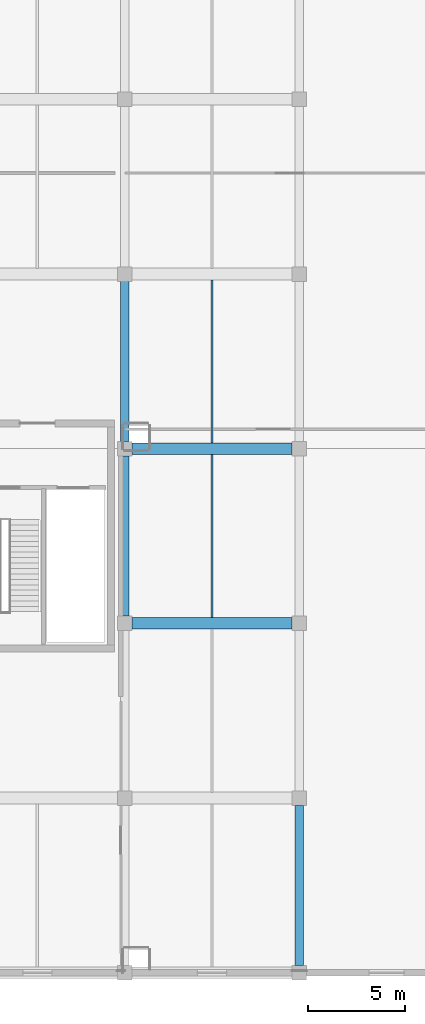
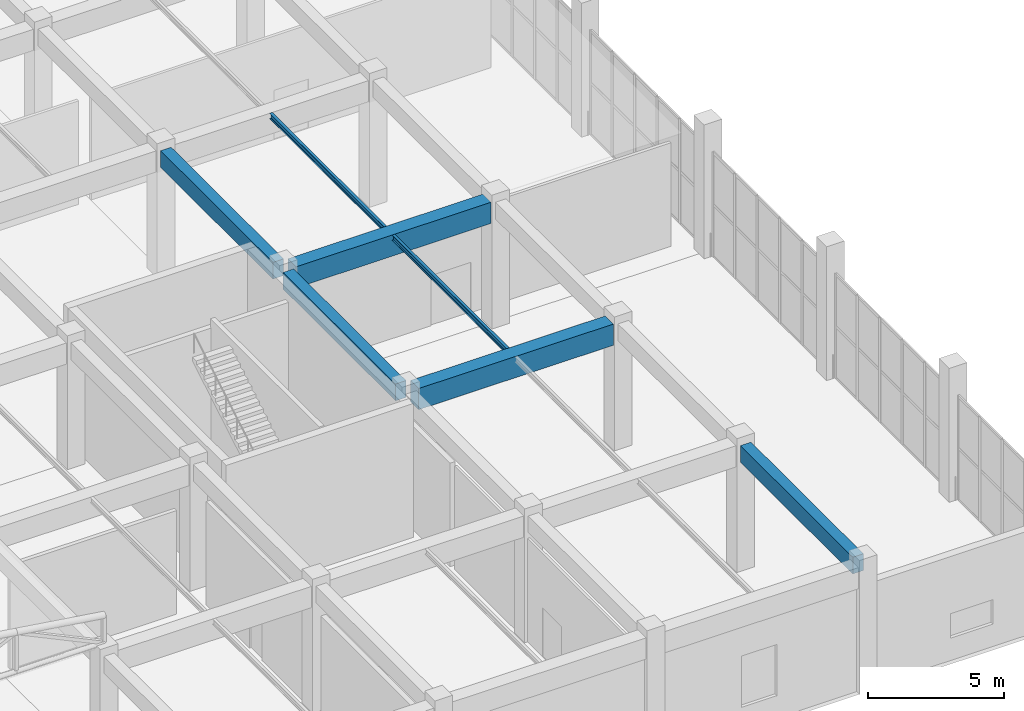
# One storey, part 67 of 223: 7 beams.
"""IFC4 building model written with IfcOpenShell, lengths in metres."""

from ifc_helpers import new_model, si_unit, direction, frame, origin, origin_2d, place, context, subcontext, project, spatial, rectangle, i_section, extrude, material, material_profile, profile_set, type_object, element, save


model = new_model("IFC4")

# Units and contexts
model_context = context("Model", 3, precision=1e-05, world=origin(), true_north=direction((0.0, 1.0)))
body_context = subcontext(model_context, "Body", "Model", "MODEL_VIEW")
ifc_project = project(units=[si_unit("LENGTHUNIT", "METRE"), si_unit("AREAUNIT", "SQUARE_METRE"), si_unit("VOLUMEUNIT", "CUBIC_METRE"), si_unit("PLANEANGLEUNIT", "RADIAN"), si_unit("MASSUNIT", "GRAM", prefix="KILO")], contexts=[model_context])

# Site, building, storey
site_placement = place(None, origin())
site = spatial("IfcSite", under=ifc_project, at=site_placement, CompositionType="ELEMENT")
building_placement = place(site_placement, origin())
building = spatial("IfcBuilding", under=site, at=building_placement, Name="Dornveld Trade and Exhibition Forum", CompositionType="ELEMENT")
storey_placement = place(building_placement, frame((0.0, 0.0, 6.0)))
storey = spatial("IfcBuildingStorey", under=building, at=storey_placement, Name="L01", CompositionType="ELEMENT", Elevation=6.0)

# Beams
ifc_material_1 = material(Name="Steel S355J2", Category="steel")
ifc_material_profile_1 = material_profile(ifc_material_1, i_section(OverallWidth=0.1201171875, OverallDepth=0.239990234375, WebThickness=0.006103515625, FlangeThickness=0.009765625, FilletRadius=0.014892578125, at=origin_2d()), Name="IPE 240")
ifc_profile_set_1 = profile_set([ifc_material_profile_1], Name="Steel S355J2")
beam_type_1 = type_object("IfcBeamType", Name="BM-JOIST-240", PredefinedType="JOIST", material=ifc_profile_set_1)
for number, where, z_axis, x_axis, name in (
    (1, (220.5, 18.297119140625, 5.52001953125), (0.0, 1.0, 0.0), (-1.0, 0.0, 0.0), "L01 secondary joist 1330"),
    (2, (220.5, 27.297119140625, 5.52001953125), (0.0, 1.0, 0.0), (-1.0, 0.0, 0.0), "L01 secondary joist 1331"),
):
    element("IfcBeam", number, at=place(storey_placement, frame(where, z_axis=z_axis, x_axis=x_axis)), inside=storey, type_object=beam_type_1, Name=name, PredefinedType="JOIST", context=body_context, shape_type="SweptSolid", body=[
        extrude(i_section(OverallWidth=0.1201171875, OverallDepth=0.239990234375, WebThickness=0.006103515625, FlangeThickness=0.009765625, FilletRadius=0.014892578125, at=origin_2d()), origin(), (0.0, 0.0, 1.0), 8.40576171875),
    ])
ifc_material_2 = material(Name="Precast concrete C50/60", Category="concrete")
ifc_material_profile_2 = material_profile(ifc_material_2, rectangle(XDim=0.449951171875, YDim=0.75, at=origin_2d()), Name="PC-BM 450x750")
ifc_profile_set_2 = profile_set([ifc_material_profile_2], Name="Precast concrete C50/60")
beam_type_2 = type_object("IfcBeamType", Name="BM-PC-450x750", PredefinedType="BEAM", material=ifc_profile_set_2)
for number, where, z_axis, x_axis, name in (
    (3, (216.0, 18.37109375, 5.264892578125), (0.0, 1.0, 0.0), (-1.0, 0.0, 0.0), "L01 Y-girder 1309"),
    (4, (216.0, 27.37109375, 5.264892578125), (0.0, 1.0, 0.0), (-1.0, 0.0, 0.0), "L01 Y-girder 1310"),
    (5, (225.0, 0.37109375, 5.264892578125), (0.0, 1.0, 0.0), (-1.0, 0.0, 0.0), "L01 Y-girder 1313"),
):
    element("IfcBeam", number, at=place(storey_placement, frame(where, z_axis=z_axis, x_axis=x_axis)), inside=storey, type_object=beam_type_2, Name=name, PredefinedType="BEAM", context=body_context, shape_type="SweptSolid", body=[
        extrude(rectangle(XDim=0.449951171875, YDim=0.75, at=origin_2d()), origin(), (0.0, 0.0, 1.0), 8.2578125),
    ])
ifc_material_3 = material(Name="Precast concrete C50/60", Category="concrete")
ifc_material_profile_3 = material_profile(ifc_material_3, rectangle(XDim=0.60009765625, YDim=0.949951171875, at=origin_2d()), Name="PC-GIR 600x950")
ifc_profile_set_3 = profile_set([ifc_material_profile_3], Name="Precast concrete C50/60")
beam_type_3 = type_object("IfcBeamType", Name="BM-PC-600x950", PredefinedType="T_BEAM", material=ifc_profile_set_3)
for number, where, z_axis, x_axis, name in (
    (6, (216.37109375, 18.0, 5.1650390625), (1.0, 0.0, 0.0), (0.0, 1.0, 0.0), "L01 X-girder 1283"),
    (7, (216.37109375, 27.0, 5.1650390625), (1.0, 0.0, 0.0), (0.0, 1.0, 0.0), "L01 X-girder 1285"),
):
    element("IfcBeam", number, at=place(storey_placement, frame(where, z_axis=z_axis, x_axis=x_axis)), inside=storey, type_object=beam_type_3, Name=name, PredefinedType="T_BEAM", context=body_context, shape_type="SweptSolid", body=[
        extrude(rectangle(XDim=0.60009765625, YDim=0.949951171875, at=origin_2d()), origin(), (0.0, 0.0, 1.0), 8.2578125),
    ])

save(model, "model.ifc")
